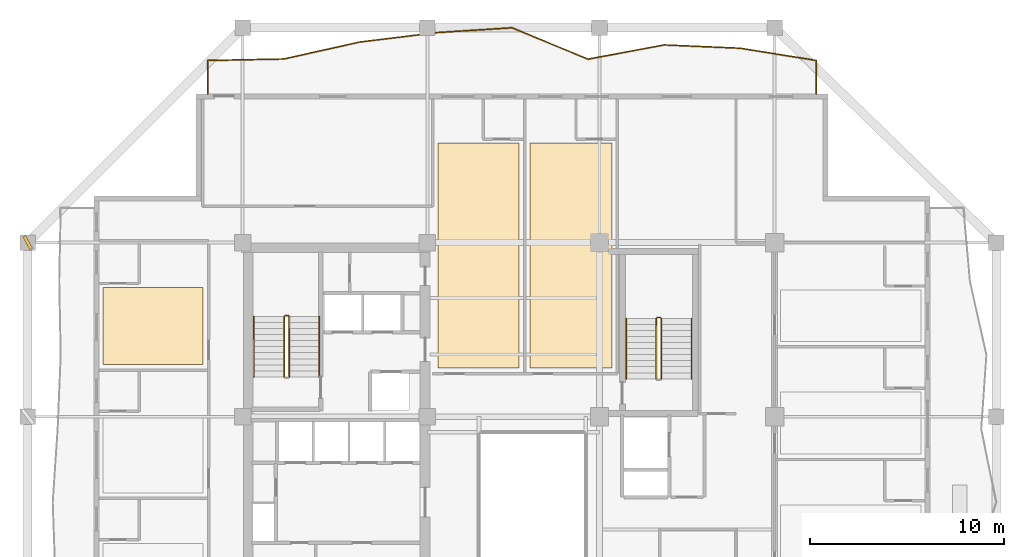
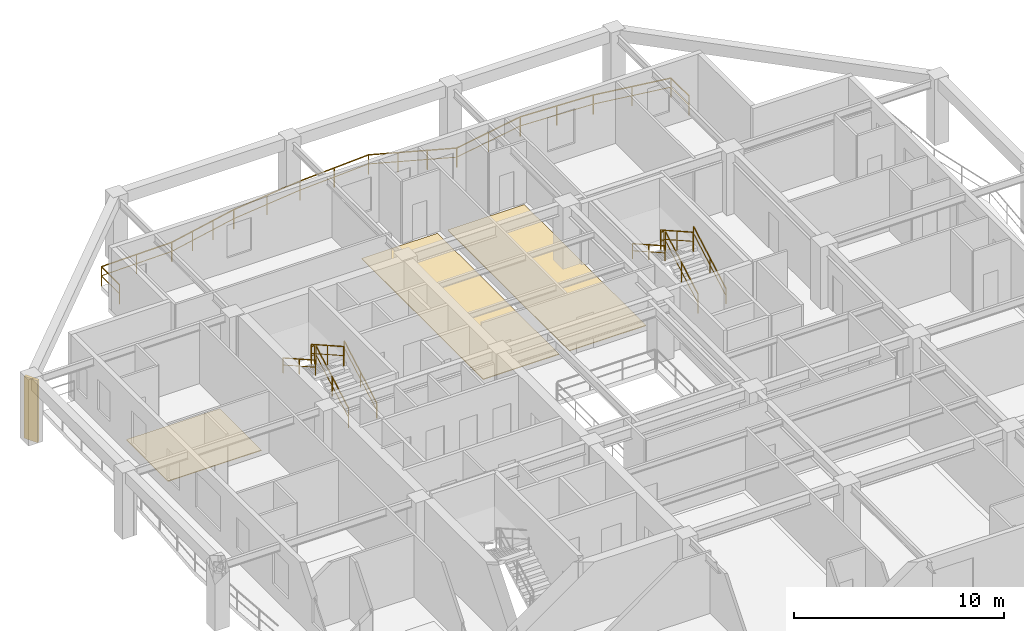
# One storey, part 11 of 13: 11 railings, 3 coverings, 1 shading device.
"""IFC4 building model written with IfcOpenShell, lengths in metres."""

from ifc_helpers import new_model, si_unit, direction, frame, origin, origin_2d, place, context, subcontext, project, spatial, polyline, rectangle, outline, extrude, material, layer, layer_set, type_object, element, save


model = new_model("IFC4")

# Units and contexts
model_context = context("Model", 3, precision=1e-05, world=origin(), true_north=direction((0.0, 1.0)))
body_context = subcontext(model_context, "Body", "Model", "MODEL_VIEW")
ifc_project = project(units=[si_unit("LENGTHUNIT", "METRE"), si_unit("AREAUNIT", "SQUARE_METRE"), si_unit("VOLUMEUNIT", "CUBIC_METRE"), si_unit("PLANEANGLEUNIT", "RADIAN"), si_unit("MASSUNIT", "GRAM", prefix="KILO")], contexts=[model_context])

# Site, building, storey
site_placement = place(None, origin())
site = spatial("IfcSite", under=ifc_project, at=site_placement, CompositionType="ELEMENT")
building_placement = place(site_placement, origin())
building = spatial("IfcBuilding", under=site, at=building_placement, Name="Kundavana Baori Tower", CompositionType="ELEMENT")
storey_placement = place(building_placement, frame((0.0, 0.0, 169.449951171875)))
storey = spatial("IfcBuildingStorey", under=building, at=storey_placement, Name="L41", CompositionType="ELEMENT", Elevation=169.449951171875)

# Coverings
ifc_material_1 = material(Name="Honed Kota Stone and Terrazzo Flooring", Category="masonry")
ifc_layer = layer(ifc_material_1, 0.0400390625, Name="COV-FLR-TERR-40")
ifc_layer_set = layer_set([ifc_layer], Name="Honed Kota Stone and Terrazzo Flooring")
covering_type = type_object("IfcCoveringType", Name="COV-FLR-TERR-40", PredefinedType="FLOORING", material=ifc_layer_set)
covering_1_placement = place(storey_placement, origin())
element("IfcCovering", 1, at=covering_1_placement, inside=storey, type_object=covering_type, Name="L41 Room Finished Stone Flooring 4", PredefinedType="FLOORING", context=body_context, shape_type="SweptSolid", body=[
    extrude(outline(polyline([(8.280029296875, 35.679931640625), (13.419921875, 35.679931640625), (13.419921875, 39.64990234375), (8.280029296875, 39.64990234375), (8.280029296875, 35.679931640625)])), origin(), (0.0, 0.0, 1.0), 0.0400390625),
])
covering_2_placement = place(storey_placement, origin())
element("IfcCovering", 2, at=covering_2_placement, inside=storey, type_object=covering_type, Name="L41 Room Finished Stone Flooring 11", PredefinedType="FLOORING", context=body_context, shape_type="SweptSolid", body=[
    extrude(outline(polyline([(25.5, 35.5), (29.669921875, 35.5), (29.669921875, 47.070068359375), (25.5, 47.070068359375), (25.5, 35.5)])), origin(), (0.0, 0.0, 1.0), 0.0400390625),
])
covering_3_placement = place(storey_placement, origin())
element("IfcCovering", 3, at=covering_3_placement, inside=storey, type_object=covering_type, Name="L41 Room Finished Stone Flooring 12", PredefinedType="FLOORING", context=body_context, shape_type="SweptSolid", body=[
    extrude(outline(polyline([(30.22998046875, 35.5), (34.43994140625, 35.5), (34.43994140625, 47.070068359375), (30.22998046875, 47.070068359375), (30.22998046875, 35.5)])), origin(), (0.0, 0.0, 1.0), 0.0400390625),
])

# Railings
ifc_material_2 = material(Name="Architectural Patinated Bronze Metalwork")
railing_type_1 = type_object("IfcRailingType", Name="RL-BAL-1150", PredefinedType="BALUSTRADE", material=ifc_material_2)
railing_1_placement = place(storey_placement, frame((13.64990234375, 49.60009765625, 0.0)))
element("IfcRailing", 4, at=railing_1_placement, inside=storey, type_object=railing_type_1, Name="L41 Loggia Balcony Balustrade N", PredefinedType="BALUSTRADE", context=body_context, shape_type="SweptSolid", body=[
    extrude(rectangle(XDim=0.048095703125, YDim=0.048095703125, at=origin_2d()), frame((0.0, 0.0, 1.1259765625), z_axis=(0.0, 1.0, 0.0), x_axis=(-1.0, 0.0, 0.0)), (0.0, 0.0, 1.0), 1.719970703125),
    extrude(rectangle(XDim=0.03125, YDim=0.03125, at=origin_2d()), frame((0.0, 0.0, 0.597900390625), z_axis=(0.0, 1.0, 0.0), x_axis=(-1.0, 0.0, 0.0)), (0.0, 0.0, 1.0), 1.719970703125),
    extrude(rectangle(XDim=0.048095703125, YDim=0.048095703125, at=origin_2d()), frame((0.0, 1.719970703125, 1.1259765625), z_axis=(0.999801901844, 0.019903694876, 0.0), x_axis=(-0.019903694876, 0.999801901844, 0.0)), (0.0, 0.0, 1.0), 3.912841796875),
    extrude(rectangle(XDim=0.03125, YDim=0.03125, at=origin_2d()), frame((0.0, 1.719970703125, 0.597900390625), z_axis=(0.999801901844, 0.019903694876, 0.0), x_axis=(-0.019903694876, 0.999801901844, 0.0)), (0.0, 0.0, 1.0), 3.912841796875),
    extrude(rectangle(XDim=0.048095703125, YDim=0.048095703125, at=origin_2d()), frame((3.912109375, 1.7978515625, 1.1259765625), z_axis=(0.976055056129, 0.217523624937, 0.0), x_axis=(-0.217523624937, 0.976055056129, 0.0)), (0.0, 0.0, 1.0), 4.009033203125),
    extrude(rectangle(XDim=0.03125, YDim=0.03125, at=origin_2d()), frame((3.912109375, 1.7978515625, 0.597900390625), z_axis=(0.976055056129, 0.217523624937, 0.0), x_axis=(-0.217523624937, 0.976055056129, 0.0)), (0.0, 0.0, 1.0), 4.009033203125),
    extrude(rectangle(XDim=0.048095703125, YDim=0.048095703125, at=origin_2d()), frame((7.8251953125, 2.669921875, 1.1259765625), z_axis=(0.99259004777, 0.121511304282, 0.0), x_axis=(-0.121511304282, 0.99259004777, 0.0)), (0.0, 0.0, 1.0), 3.942138671875),
    extrude(rectangle(XDim=0.03125, YDim=0.03125, at=origin_2d()), frame((7.8251953125, 2.669921875, 0.597900390625), z_axis=(0.99259004777, 0.121511304282, 0.0), x_axis=(-0.121511304282, 0.99259004777, 0.0)), (0.0, 0.0, 1.0), 3.942138671875),
    extrude(rectangle(XDim=0.048095703125, YDim=0.048095703125, at=origin_2d()), frame((11.738037109375, 3.14892578125, 1.1259765625), z_axis=(0.99794847737, 0.064022156436, 0.0), x_axis=(-0.064022156436, 0.99794847737, 0.0)), (0.0, 0.0, 1.0), 3.920166015625),
    extrude(rectangle(XDim=0.03125, YDim=0.03125, at=origin_2d()), frame((11.738037109375, 3.14892578125, 0.597900390625), z_axis=(0.99794847737, 0.064022156436, 0.0), x_axis=(-0.064022156436, 0.99794847737, 0.0)), (0.0, 0.0, 1.0), 3.920166015625),
    extrude(rectangle(XDim=0.048095703125, YDim=0.048095703125, at=origin_2d()), frame((15.650146484375, 3.39990234375, 1.1259765625), z_axis=(0.92468526757, -0.380732394128, 0.0), x_axis=(0.380732394128, 0.92468526757, 0.0)), (0.0, 0.0, 1.0), 4.2314453125),
    extrude(rectangle(XDim=0.03125, YDim=0.03125, at=origin_2d()), frame((15.650146484375, 3.39990234375, 0.597900390625), z_axis=(0.92468526757, -0.380732394128, 0.0), x_axis=(0.380732394128, 0.92468526757, 0.0)), (0.0, 0.0, 1.0), 4.2314453125),
    extrude(rectangle(XDim=0.048095703125, YDim=0.048095703125, at=origin_2d()), frame((19.56298828125, 1.788818359375, 1.1259765625), z_axis=(0.982977583821, 0.183725528179, 0.0), x_axis=(-0.183725528179, 0.982977583821, 0.0)), (0.0, 0.0, 1.0), 3.979736328125),
    extrude(rectangle(XDim=0.03125, YDim=0.03125, at=origin_2d()), frame((19.56298828125, 1.788818359375, 0.597900390625), z_axis=(0.982977583821, 0.183725528179, 0.0), x_axis=(-0.183725528179, 0.982977583821, 0.0)), (0.0, 0.0, 1.0), 3.979736328125),
    extrude(rectangle(XDim=0.048095703125, YDim=0.048095703125, at=origin_2d()), frame((23.47509765625, 2.52001953125, 1.1259765625), z_axis=(0.9990558055, -0.043445339184, 0.0), x_axis=(0.043445339184, 0.9990558055, 0.0)), (0.0, 0.0, 1.0), 3.916748046875),
    extrude(rectangle(XDim=0.03125, YDim=0.03125, at=origin_2d()), frame((23.47509765625, 2.52001953125, 0.597900390625), z_axis=(0.9990558055, -0.043445339184, 0.0), x_axis=(0.043445339184, 0.9990558055, 0.0)), (0.0, 0.0, 1.0), 3.916748046875),
    extrude(rectangle(XDim=0.048095703125, YDim=0.048095703125, at=origin_2d()), frame((27.38818359375, 2.349853515625, 1.1259765625), z_axis=(0.987283267843, -0.158970906262, 0.0), x_axis=(0.158970906262, 0.987283267843, 0.0)), (0.0, 0.0, 1.0), 3.962158203125),
    extrude(rectangle(XDim=0.03125, YDim=0.03125, at=origin_2d()), frame((27.38818359375, 2.349853515625, 0.597900390625), z_axis=(0.987283267843, -0.158970906262, 0.0), x_axis=(0.158970906262, 0.987283267843, 0.0)), (0.0, 0.0, 1.0), 3.962158203125),
    extrude(rectangle(XDim=0.048095703125, YDim=0.048095703125, at=origin_2d()), frame((31.300048828125, 1.719970703125, 1.1259765625), z_axis=(0.0, -1.0, 0.0), x_axis=(1.0, 0.0, 0.0)), (0.0, 0.0, 1.0), 1.719970703125),
    extrude(rectangle(XDim=0.03125, YDim=0.03125, at=origin_2d()), frame((31.300048828125, 1.719970703125, 0.597900390625), z_axis=(0.0, -1.0, 0.0), x_axis=(1.0, 0.0, 0.0)), (0.0, 0.0, 1.0), 1.719970703125),
    extrude(rectangle(XDim=0.0419921875, YDim=0.0419921875, at=origin_2d()), origin(), (0.0, 0.0, 1.0), 1.101806640625),
    extrude(rectangle(XDim=0.0419921875, YDim=0.0419921875, at=origin_2d()), frame((0.0, 1.719970703125, 0.0)), (0.0, 0.0, 1.0), 1.101806640625),
    extrude(rectangle(XDim=0.0419921875, YDim=0.0419921875, at=origin_2d()), frame((1.9560546875, 1.7587890625, 0.0)), (0.0, 0.0, 1.0), 1.101806640625),
    extrude(rectangle(XDim=0.0419921875, YDim=0.0419921875, at=origin_2d()), frame((3.912109375, 1.7978515625, 0.0)), (0.0, 0.0, 1.0), 1.101806640625),
    extrude(rectangle(XDim=0.0419921875, YDim=0.0419921875, at=origin_2d()), frame((5.216552734375, 2.088623046875, 0.0)), (0.0, 0.0, 1.0), 1.101806640625),
    extrude(rectangle(XDim=0.0419921875, YDim=0.0419921875, at=origin_2d()), frame((6.520751953125, 2.379150390625, 0.0)), (0.0, 0.0, 1.0), 1.101806640625),
    extrude(rectangle(XDim=0.0419921875, YDim=0.0419921875, at=origin_2d()), frame((7.8251953125, 2.669921875, 0.0)), (0.0, 0.0, 1.0), 1.101806640625),
    extrude(rectangle(XDim=0.0419921875, YDim=0.0419921875, at=origin_2d()), frame((9.78173828125, 2.909423828125, 0.0)), (0.0, 0.0, 1.0), 1.101806640625),
    extrude(rectangle(XDim=0.0419921875, YDim=0.0419921875, at=origin_2d()), frame((11.738037109375, 3.14892578125, 0.0)), (0.0, 0.0, 1.0), 1.101806640625),
    extrude(rectangle(XDim=0.0419921875, YDim=0.0419921875, at=origin_2d()), frame((13.694091796875, 3.2744140625, 0.0)), (0.0, 0.0, 1.0), 1.101806640625),
    extrude(rectangle(XDim=0.0419921875, YDim=0.0419921875, at=origin_2d()), frame((15.650146484375, 3.39990234375, 0.0)), (0.0, 0.0, 1.0), 1.101806640625),
    extrude(rectangle(XDim=0.0419921875, YDim=0.0419921875, at=origin_2d()), frame((16.954345703125, 2.86279296875, 0.0)), (0.0, 0.0, 1.0), 1.101806640625),
    extrude(rectangle(XDim=0.0419921875, YDim=0.0419921875, at=origin_2d()), frame((18.2587890625, 2.325927734375, 0.0)), (0.0, 0.0, 1.0), 1.101806640625),
    extrude(rectangle(XDim=0.0419921875, YDim=0.0419921875, at=origin_2d()), frame((19.56298828125, 1.788818359375, 0.0)), (0.0, 0.0, 1.0), 1.101806640625),
    extrude(rectangle(XDim=0.0419921875, YDim=0.0419921875, at=origin_2d()), frame((21.51904296875, 2.154296875, 0.0)), (0.0, 0.0, 1.0), 1.101806640625),
    extrude(rectangle(XDim=0.0419921875, YDim=0.0419921875, at=origin_2d()), frame((23.47509765625, 2.52001953125, 0.0)), (0.0, 0.0, 1.0), 1.101806640625),
    extrude(rectangle(XDim=0.0419921875, YDim=0.0419921875, at=origin_2d()), frame((25.431640625, 2.43505859375, 0.0)), (0.0, 0.0, 1.0), 1.101806640625),
    extrude(rectangle(XDim=0.0419921875, YDim=0.0419921875, at=origin_2d()), frame((27.38818359375, 2.349853515625, 0.0)), (0.0, 0.0, 1.0), 1.101806640625),
    extrude(rectangle(XDim=0.0419921875, YDim=0.0419921875, at=origin_2d()), frame((29.34423828125, 2.034912109375, 0.0)), (0.0, 0.0, 1.0), 1.101806640625),
    extrude(rectangle(XDim=0.0419921875, YDim=0.0419921875, at=origin_2d()), frame((31.300048828125, 1.719970703125, 0.0)), (0.0, 0.0, 1.0), 1.101806640625),
    extrude(rectangle(XDim=0.0419921875, YDim=0.0419921875, at=origin_2d()), frame((31.300048828125, 0.0, 0.0)), (0.0, 0.0, 1.0), 1.101806640625),
])
ifc_material_3 = material(Name="Architectural Patinated Bronze Metalwork")
railing_type_2 = type_object("IfcRailingType", Name="RL-GRD-1150", PredefinedType="GUARDRAIL", material=ifc_material_3)
railing_2_placement = place(storey_placement, frame((17.840087890625, 35.050048828125, 0.175048828125)))
element("IfcRailing", 5, at=railing_2_placement, inside=storey, type_object=railing_type_2, Name="L41 ST2 stair guard 1", PredefinedType="GUARDRAIL", context=body_context, shape_type="SweptSolid", body=[
    extrude(rectangle(XDim=0.048095703125, YDim=0.048095703125, at=origin_2d()), frame((0.0, 0.0, 1.1259765625), z_axis=(0.0, 0.870814364268, 0.491611984175), x_axis=(-1.0, 0.0, 0.0)), (0.0, 0.0, 1.0), 3.559814453125),
    extrude(rectangle(XDim=0.03125, YDim=0.03125, at=origin_2d()), frame((0.0, 0.0, 0.597900390625), z_axis=(0.0, 0.870814364268, 0.491611984175), x_axis=(-1.0, 0.0, 0.0)), (0.0, 0.0, 1.0), 3.559814453125),
    extrude(rectangle(XDim=0.0419921875, YDim=0.0419921875, at=origin_2d()), origin(), (0.0, 0.0, 1.0), 1.101806640625),
    extrude(rectangle(XDim=0.0419921875, YDim=0.0419921875, at=origin_2d()), frame((0.0, 1.5498046875, 0.875)), (0.0, 0.0, 1.0), 1.101806640625),
    extrude(rectangle(XDim=0.0419921875, YDim=0.0419921875, at=origin_2d()), frame((0.0, 3.099853515625, 1.75)), (0.0, 0.0, 1.0), 1.101806640625),
])
railing_3_placement = place(storey_placement, frame((17.7900390625, 38.199951171875, 1.925048828125)))
element("IfcRailing", 6, at=railing_3_placement, inside=storey, type_object=railing_type_2, Name="L41 ST2 stair guard 2", PredefinedType="GUARDRAIL", context=body_context, shape_type="SweptSolid", body=[
    extrude(rectangle(XDim=0.048095703125, YDim=0.048095703125, at=origin_2d()), frame((0.0, 0.0, 1.1259765625), z_axis=(-1.0, 0.0, 0.0), x_axis=(0.0, -1.0, 0.0)), (0.0, 0.0, 1.0), 0.16015625),
    extrude(rectangle(XDim=0.03125, YDim=0.03125, at=origin_2d()), frame((0.0, 0.0, 0.597900390625), z_axis=(-1.0, 0.0, 0.0), x_axis=(0.0, -1.0, 0.0)), (0.0, 0.0, 1.0), 0.16015625),
    extrude(rectangle(XDim=0.0419921875, YDim=0.0419921875, at=origin_2d()), origin(), (0.0, 0.0, 1.0), 1.101806640625),
    extrude(rectangle(XDim=0.0419921875, YDim=0.0419921875, at=origin_2d()), frame((-0.16015625, 0.0, 0.0)), (0.0, 0.0, 1.0), 1.101806640625),
])
railing_4_placement = place(storey_placement, frame((17.580078125, 38.14990234375, 2.10009765625)))
element("IfcRailing", 7, at=railing_4_placement, inside=storey, type_object=railing_type_2, Name="L41 ST2 stair guard 3", PredefinedType="GUARDRAIL", context=body_context, shape_type="SweptSolid", body=[
    extrude(rectangle(XDim=0.048095703125, YDim=0.048095703125, at=origin_2d()), frame((0.0, 0.0, 1.1259765625), z_axis=(0.0, -0.870814364268, 0.491611984175), x_axis=(1.0, 0.0, 0.0)), (0.0, 0.0, 1.0), 3.559814453125),
    extrude(rectangle(XDim=0.03125, YDim=0.03125, at=origin_2d()), frame((0.0, 0.0, 0.597900390625), z_axis=(0.0, -0.870814364268, 0.491611984175), x_axis=(1.0, 0.0, 0.0)), (0.0, 0.0, 1.0), 3.559814453125),
    extrude(rectangle(XDim=0.0419921875, YDim=0.0419921875, at=origin_2d()), origin(), (0.0, 0.0, 1.0), 1.101806640625),
    extrude(rectangle(XDim=0.0419921875, YDim=0.0419921875, at=origin_2d()), frame((0.0, -1.5498046875, 0.875)), (0.0, 0.0, 1.0), 1.101806640625),
    extrude(rectangle(XDim=0.0419921875, YDim=0.0419921875, at=origin_2d()), frame((0.0, -3.099853515625, 1.75)), (0.0, 0.0, 1.0), 1.101806640625),
])
railing_5_placement = place(storey_placement, frame((36.97998046875, 34.949951171875, 0.175048828125)))
element("IfcRailing", 8, at=railing_5_placement, inside=storey, type_object=railing_type_2, Name="L41 ST3 stair guard 1", PredefinedType="GUARDRAIL", context=body_context, shape_type="SweptSolid", body=[
    extrude(rectangle(XDim=0.048095703125, YDim=0.048095703125, at=origin_2d()), frame((0.0, 0.0, 1.1259765625), z_axis=(0.0, 0.870830938388, 0.491582624537), x_axis=(-1.0, 0.0, 0.0)), (0.0, 0.0, 1.0), 3.559814453125),
    extrude(rectangle(XDim=0.03125, YDim=0.03125, at=origin_2d()), frame((0.0, 0.0, 0.597900390625), z_axis=(0.0, 0.870830938388, 0.491582624537), x_axis=(-1.0, 0.0, 0.0)), (0.0, 0.0, 1.0), 3.559814453125),
    extrude(rectangle(XDim=0.0419921875, YDim=0.0419921875, at=origin_2d()), origin(), (0.0, 0.0, 1.0), 1.101806640625),
    extrude(rectangle(XDim=0.0419921875, YDim=0.0419921875, at=origin_2d()), frame((0.0, 1.550048828125, 0.875)), (0.0, 0.0, 1.0), 1.101806640625),
    extrude(rectangle(XDim=0.0419921875, YDim=0.0419921875, at=origin_2d()), frame((0.0, 3.10009765625, 1.75)), (0.0, 0.0, 1.0), 1.101806640625),
])
railing_6_placement = place(storey_placement, frame((36.929931640625, 38.10009765625, 1.925048828125)))
element("IfcRailing", 9, at=railing_6_placement, inside=storey, type_object=railing_type_2, Name="L41 ST3 stair guard 2", PredefinedType="GUARDRAIL", context=body_context, shape_type="SweptSolid", body=[
    extrude(rectangle(XDim=0.048095703125, YDim=0.048095703125, at=origin_2d()), frame((0.0, 0.0, 1.1259765625), z_axis=(-1.0, 0.0, 0.0), x_axis=(0.0, -1.0, 0.0)), (0.0, 0.0, 1.0), 0.159912109375),
    extrude(rectangle(XDim=0.03125, YDim=0.03125, at=origin_2d()), frame((0.0, 0.0, 0.597900390625), z_axis=(-1.0, 0.0, 0.0), x_axis=(0.0, -1.0, 0.0)), (0.0, 0.0, 1.0), 0.159912109375),
    extrude(rectangle(XDim=0.0419921875, YDim=0.0419921875, at=origin_2d()), origin(), (0.0, 0.0, 1.0), 1.101806640625),
    extrude(rectangle(XDim=0.0419921875, YDim=0.0419921875, at=origin_2d()), frame((-0.159912109375, 0.0, 0.0)), (0.0, 0.0, 1.0), 1.101806640625),
])
railing_7_placement = place(storey_placement, frame((36.719970703125, 38.050048828125, 2.10009765625)))
element("IfcRailing", 10, at=railing_7_placement, inside=storey, type_object=railing_type_2, Name="L41 ST3 stair guard 3", PredefinedType="GUARDRAIL", context=body_context, shape_type="SweptSolid", body=[
    extrude(rectangle(XDim=0.048095703125, YDim=0.048095703125, at=origin_2d()), frame((0.0, 0.0, 1.1259765625), z_axis=(0.0, -0.870830938388, 0.491582624537), x_axis=(1.0, 0.0, 0.0)), (0.0, 0.0, 1.0), 3.559814453125),
    extrude(rectangle(XDim=0.03125, YDim=0.03125, at=origin_2d()), frame((0.0, 0.0, 0.597900390625), z_axis=(0.0, -0.870830938388, 0.491582624537), x_axis=(1.0, 0.0, 0.0)), (0.0, 0.0, 1.0), 3.559814453125),
    extrude(rectangle(XDim=0.0419921875, YDim=0.0419921875, at=origin_2d()), origin(), (0.0, 0.0, 1.0), 1.101806640625),
    extrude(rectangle(XDim=0.0419921875, YDim=0.0419921875, at=origin_2d()), frame((0.0, -1.550048828125, 0.875)), (0.0, 0.0, 1.0), 1.101806640625),
    extrude(rectangle(XDim=0.0419921875, YDim=0.0419921875, at=origin_2d()), frame((0.0, -3.10009765625, 1.75)), (0.0, 0.0, 1.0), 1.101806640625),
])
ifc_material_4 = material(Name="Architectural Patinated Bronze Metalwork")
railing_type_3 = type_object("IfcRailingType", Name="RL-HND-920", PredefinedType="HANDRAIL", material=ifc_material_4)
railing_8_placement = place(storey_placement, frame((19.389892578125, 35.050048828125, 0.175048828125)))
element("IfcRailing", 11, at=railing_8_placement, inside=storey, type_object=railing_type_3, Name="L41 ST2 stair handrail 1", PredefinedType="HANDRAIL", context=body_context, shape_type="SweptSolid", body=[
    extrude(rectangle(XDim=0.048095703125, YDim=0.048095703125, at=origin_2d()), frame((0.0, 0.0, 0.8759765625), z_axis=(0.0, 0.870814364268, 0.491611984175), x_axis=(-1.0, 0.0, 0.0)), (0.0, 0.0, 1.0), 3.559814453125),
    extrude(rectangle(XDim=0.03125, YDim=0.03125, at=origin_2d()), frame((0.0, 0.0, 0.468017578125), z_axis=(0.0, 0.870814364268, 0.491611984175), x_axis=(-1.0, 0.0, 0.0)), (0.0, 0.0, 1.0), 3.559814453125),
    extrude(rectangle(XDim=0.0419921875, YDim=0.0419921875, at=origin_2d()), origin(), (0.0, 0.0, 1.0), 0.851806640625),
    extrude(rectangle(XDim=0.0419921875, YDim=0.0419921875, at=origin_2d()), frame((0.0, 1.5498046875, 0.875)), (0.0, 0.0, 1.0), 0.851806640625),
    extrude(rectangle(XDim=0.0419921875, YDim=0.0419921875, at=origin_2d()), frame((0.0, 3.099853515625, 1.75)), (0.0, 0.0, 1.0), 0.851806640625),
])
railing_9_placement = place(storey_placement, frame((16.030029296875, 38.14990234375, 2.10009765625)))
element("IfcRailing", 12, at=railing_9_placement, inside=storey, type_object=railing_type_3, Name="L41 ST2 stair handrail 2", PredefinedType="HANDRAIL", context=body_context, shape_type="SweptSolid", body=[
    extrude(rectangle(XDim=0.048095703125, YDim=0.048095703125, at=origin_2d()), frame((0.0, 0.0, 0.8759765625), z_axis=(0.0, -0.870814364268, 0.491611984175), x_axis=(1.0, 0.0, 0.0)), (0.0, 0.0, 1.0), 3.559814453125),
    extrude(rectangle(XDim=0.03125, YDim=0.03125, at=origin_2d()), frame((0.0, 0.0, 0.468017578125), z_axis=(0.0, -0.870814364268, 0.491611984175), x_axis=(1.0, 0.0, 0.0)), (0.0, 0.0, 1.0), 3.559814453125),
    extrude(rectangle(XDim=0.0419921875, YDim=0.0419921875, at=origin_2d()), origin(), (0.0, 0.0, 1.0), 0.851806640625),
    extrude(rectangle(XDim=0.0419921875, YDim=0.0419921875, at=origin_2d()), frame((0.0, -1.5498046875, 0.875)), (0.0, 0.0, 1.0), 0.851806640625),
    extrude(rectangle(XDim=0.0419921875, YDim=0.0419921875, at=origin_2d()), frame((0.0, -3.099853515625, 1.75)), (0.0, 0.0, 1.0), 0.851806640625),
])
railing_10_placement = place(storey_placement, frame((38.530029296875, 34.949951171875, 0.175048828125)))
element("IfcRailing", 13, at=railing_10_placement, inside=storey, type_object=railing_type_3, Name="L41 ST3 stair handrail 1", PredefinedType="HANDRAIL", context=body_context, shape_type="SweptSolid", body=[
    extrude(rectangle(XDim=0.048095703125, YDim=0.048095703125, at=origin_2d()), frame((0.0, 0.0, 0.8759765625), z_axis=(0.0, 0.870830938388, 0.491582624537), x_axis=(-1.0, 0.0, 0.0)), (0.0, 0.0, 1.0), 3.559814453125),
    extrude(rectangle(XDim=0.03125, YDim=0.03125, at=origin_2d()), frame((0.0, 0.0, 0.468017578125), z_axis=(0.0, 0.870830938388, 0.491582624537), x_axis=(-1.0, 0.0, 0.0)), (0.0, 0.0, 1.0), 3.559814453125),
    extrude(rectangle(XDim=0.0419921875, YDim=0.0419921875, at=origin_2d()), origin(), (0.0, 0.0, 1.0), 0.851806640625),
    extrude(rectangle(XDim=0.0419921875, YDim=0.0419921875, at=origin_2d()), frame((0.0, 1.550048828125, 0.875)), (0.0, 0.0, 1.0), 0.851806640625),
    extrude(rectangle(XDim=0.0419921875, YDim=0.0419921875, at=origin_2d()), frame((0.0, 3.10009765625, 1.75)), (0.0, 0.0, 1.0), 0.851806640625),
])
railing_11_placement = place(storey_placement, frame((35.169921875, 38.050048828125, 2.10009765625)))
element("IfcRailing", 14, at=railing_11_placement, inside=storey, type_object=railing_type_3, Name="L41 ST3 stair handrail 2", PredefinedType="HANDRAIL", context=body_context, shape_type="SweptSolid", body=[
    extrude(rectangle(XDim=0.048095703125, YDim=0.048095703125, at=origin_2d()), frame((0.0, 0.0, 0.8759765625), z_axis=(0.0, -0.870830938388, 0.491582624537), x_axis=(1.0, 0.0, 0.0)), (0.0, 0.0, 1.0), 3.559814453125),
    extrude(rectangle(XDim=0.03125, YDim=0.03125, at=origin_2d()), frame((0.0, 0.0, 0.468017578125), z_axis=(0.0, -0.870830938388, 0.491582624537), x_axis=(1.0, 0.0, 0.0)), (0.0, 0.0, 1.0), 3.559814453125),
    extrude(rectangle(XDim=0.0419921875, YDim=0.0419921875, at=origin_2d()), origin(), (0.0, 0.0, 1.0), 0.851806640625),
    extrude(rectangle(XDim=0.0419921875, YDim=0.0419921875, at=origin_2d()), frame((0.0, -1.550048828125, 0.875)), (0.0, 0.0, 1.0), 0.851806640625),
    extrude(rectangle(XDim=0.0419921875, YDim=0.0419921875, at=origin_2d()), frame((0.0, -3.10009765625, 1.75)), (0.0, 0.0, 1.0), 0.851806640625),
])

# Shading device
ifc_material_5 = material(Name="Red-Buff Dholpur Sandstone Cladding on Concrete C40/50", Category="masonry")
shading_device_type = type_object("IfcShadingDeviceType", Name="SHD-FIN-750", PredefinedType="JALOUSIE", material=ifc_material_5)
shading_device_placement = place(storey_placement, frame((4.39990234375, 41.949951171875, 0.0), z_axis=(0.0, 0.0, 1.0), x_axis=(0.878900379191, 0.477005370471, 0.0)))
element("IfcShadingDevice", 15, at=shading_device_placement, inside=storey, type_object=shading_device_type, Name="L41 Sweeping Dholpur Sandstone Facade Fin 8", PredefinedType="JALOUSIE", context=body_context, shape_type="SweptSolid", body=[
    extrude(rectangle(XDim=0.159912109375, YDim=0.75, at=origin_2d()), origin(), (0.0, 0.0, 1.0), 3.60009765625),
])

save(model, "model.ifc")
